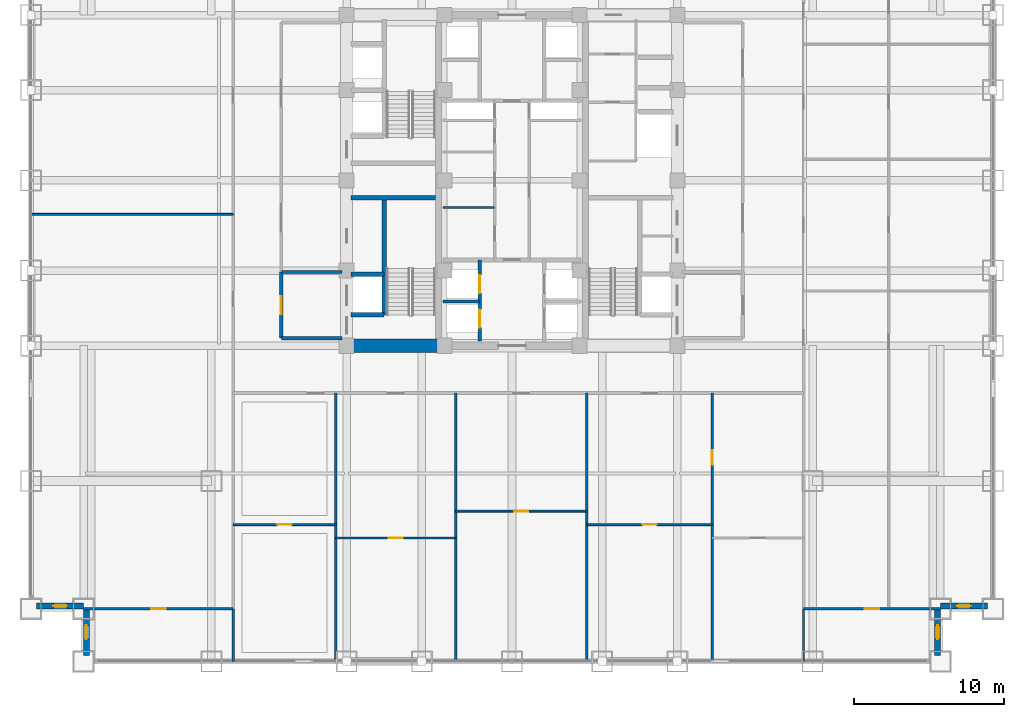
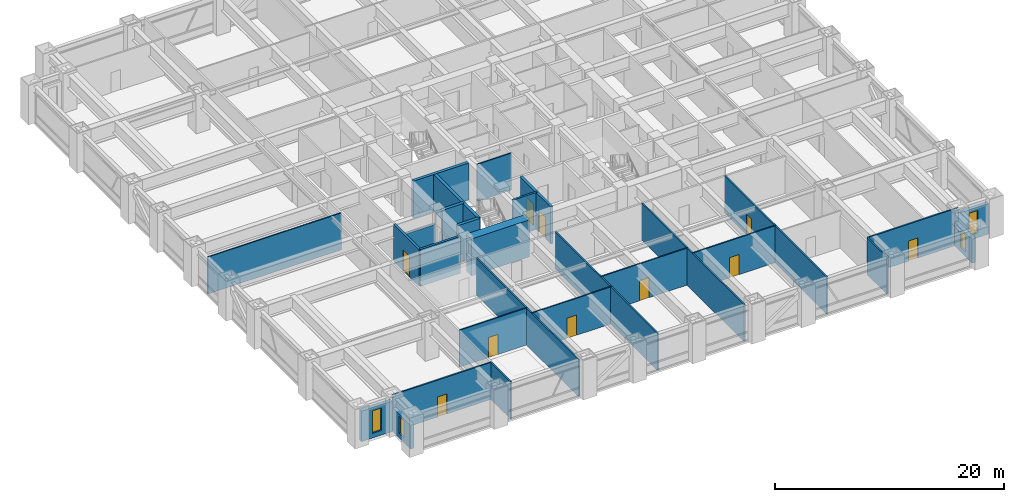
# One storey, part 23 of 29: 28 walls, 10 doors, 4 windows, 14 openings.
"""IFC4 building model written with IfcOpenShell, lengths in metres."""

from ifc_helpers import new_model, si_unit, direction, frame, frame_2d, origin, place, context, subcontext, project, spatial, rectangle, extrude, source, transform, mapped, material, layer, layer_set, type_object, element, fill, save


model = new_model("IFC4")

# Units and contexts
model_context = context("Model", 3, precision=1e-05, world=origin(), true_north=direction((0.0, 1.0)))
body_context = subcontext(model_context, "Body", "Model", "MODEL_VIEW")
ifc_project = project(units=[si_unit("LENGTHUNIT", "METRE"), si_unit("AREAUNIT", "SQUARE_METRE"), si_unit("VOLUMEUNIT", "CUBIC_METRE"), si_unit("PLANEANGLEUNIT", "RADIAN"), si_unit("MASSUNIT", "GRAM", prefix="KILO")], contexts=[model_context])

# Site, building, storey
site_placement = place(None, origin())
site = spatial("IfcSite", under=ifc_project, at=site_placement, CompositionType="ELEMENT")
building_placement = place(site_placement, origin())
building = spatial("IfcBuilding", under=site, at=building_placement, Name="Khorayat Bourse Tower", CompositionType="ELEMENT")
storey_placement = place(building_placement, frame((0.0, 0.0, 87.199951171875)))
storey = spatial("IfcBuildingStorey", under=building, at=storey_placement, Name="L19", CompositionType="ELEMENT", Elevation=87.199951171875)

# Walls
ifc_material_1 = material(Name="Concrete C72/90", Category="concrete")
ifc_layer_1 = layer(ifc_material_1, 0.89990234375)
ifc_layer_set_1 = layer_set([ifc_layer_1], Name="Concrete C72/90")
wall_type_1 = type_object("IfcWallType", Name="WAL-CORE-900", PredefinedType="SHEAR", material=ifc_layer_set_1)
shared_shape_1 = source(origin(), body_context, "Body", "SweptSolid", [
    extrude(rectangle(XDim=5.849853515625, YDim=0.89990234375, at=frame_2d((2.9248046875, 0.0))), origin(), (0.0, 0.0, 1.0), 3.93994140625),
])
wall_1_placement = place(storey_placement, frame((-10.699951171875, -11.0, 0.0), z_axis=(0.0, 0.0, 1.0), x_axis=(1.0, 0.0, 0.0)))
element("IfcWall", 1, at=wall_1_placement, inside=storey, type_object=wall_type_1, Name="L19 Core Shear Wall PIER-WS", PredefinedType="SHEAR", context=body_context, shape_type="MappedRepresentation", body=[
    mapped(shared_shape_1, transform((0.0, 0.0, 0.0), scale=1.0)),
])
ifc_material_2 = material(Name="Concrete C50/60", Category="concrete")
ifc_layer_2 = layer(ifc_material_2, 0.300048828125)
ifc_layer_set_2 = layer_set([ifc_layer_2], Name="Concrete C50/60")
wall_type_2 = type_object("IfcWallType", Name="WAL-SHAFT-300", PredefinedType="SHEAR", material=ifc_layer_set_2)
shared_shape_2 = source(origin(), body_context, "Body", "SweptSolid", [
    extrude(rectangle(XDim=5.599853515625, YDim=0.300048828125, at=frame_2d((2.7998046875, 0.0))), origin(), (0.0, 0.0, 1.0), 3.93994140625),
])
wall_2_placement = place(storey_placement, frame((-10.699951171875, -1.14990234375, 0.0), z_axis=(0.0, 0.0, 1.0), x_axis=(1.0, 0.0, 0.0)))
element("IfcWall", 2, at=wall_2_placement, inside=storey, type_object=wall_type_2, Name="L19 Core Shear Wall ST1-DIV", PredefinedType="SHEAR", context=body_context, shape_type="MappedRepresentation", body=[
    mapped(shared_shape_2, transform((0.0, 0.0, 0.0), scale=1.0)),
])

# Wall, opening, window
ifc_material_3 = material(Name="Precast concrete C45/55", Category="concrete")
ifc_layer_3 = layer(ifc_material_3, 0.3798828125)
ifc_layer_set_3 = layer_set([ifc_layer_3], Name="Precast concrete C45/55")
wall_type_3 = type_object("IfcWallType", Name="WAL-EXT-STONE-380", PredefinedType="STANDARD", material=ifc_layer_set_3)
shared_shape_3 = source(origin(), body_context, "Body", "SweptSolid", [
    extrude(rectangle(XDim=3.1201171875, YDim=0.3798828125, at=frame_2d((1.56005859375, 0.0))), origin(), (0.0, 0.0, 1.0), 3.2451171875),
])
wall_3_placement = place(storey_placement, frame((-28.5, -28.31005859375, 0.0), z_axis=(0.0, 0.0, 1.0), x_axis=(-1.0, 0.0, 0.0)))
wall_3 = element("IfcWall", 3, at=wall_3_placement, inside=storey, type_object=wall_type_3, Name="L19 Re-Entrant Notch Limestone Wall SW-H", PredefinedType="STANDARD", context=body_context, shape_type="MappedRepresentation", body=[
    mapped(shared_shape_3, transform((0.0, 0.0, 0.0), scale=1.0)),
])
shared_shape_4 = source(origin(), body_context, "Body", "SweptSolid", [
    extrude(rectangle(XDim=0.89990234375, YDim=2.39990234375, at=frame_2d((0.449951171875, 1.199951171875))), frame((0.0, 0.199951171875, 0.0), z_axis=(0.0, -1.0, 0.0), x_axis=(1.0, 0.0, 0.0)), (0.0, 0.0, 1.0), 0.39990234375),
])
opening_1_placement = place(wall_3_placement, frame((1.110107421875, 0.0, 0.5)))
opening_1 = element("IfcOpeningElement", 4, at=opening_1_placement, cuts=wall_3, Name="Opening WN-03", PredefinedType="OPENING", context=body_context, shape_type="MappedRepresentation", body=[
    mapped(shared_shape_4, transform((0.0, 0.0, 0.0), scale=1.0)),
])
ifc_material_4 = material(Name="Deep-reveal solar-control double glazing", Category="glass")
window_type = type_object("IfcWindowType", Name="WIN-SLOT-900x2400", PartitioningType="SINGLE_PANEL", PredefinedType="WINDOW", material=ifc_material_4)
shared_shape_5 = source(origin(), body_context, "Body", "SweptSolid", [
    extrude(rectangle(XDim=0.89990234375, YDim=2.39990234375, at=frame_2d((0.449951171875, 1.199951171875))), frame((0.0, 0.030029296875, 0.0), z_axis=(0.0, -1.0, 0.0), x_axis=(1.0, 0.0, 0.0)), (0.0, 0.0, 1.0), 0.06005859375),
])
window_1_placement = place(opening_1_placement, origin())
window_1 = element("IfcWindow", 5, at=window_1_placement, inside=storey, type_object=window_type, Name="L19 Facade Window 1", OverallHeight=2.39990234375, OverallWidth=0.89990234375, PartitioningType="SINGLE_PANEL", PredefinedType="WINDOW", context=body_context, shape_type="MappedRepresentation", body=[
    mapped(shared_shape_5, transform((0.0, 0.0, 0.0), scale=1.0)),
])
fill(opening_1, window_1)

wall_4_placement = place(storey_placement, frame((28.5, -28.31005859375, 0.0), z_axis=(0.0, 0.0, 1.0), x_axis=(1.0, 0.0, 0.0)))
wall_4 = element("IfcWall", 6, at=wall_4_placement, inside=storey, type_object=wall_type_3, Name="L19 Re-Entrant Notch Limestone Wall SE-H", PredefinedType="STANDARD", context=body_context, shape_type="MappedRepresentation", body=[
    mapped(shared_shape_3, transform((0.0, 0.0, 0.0), scale=1.0)),
])
opening_2_placement = place(wall_4_placement, frame((1.110107421875, 0.0, 0.5)))
opening_2 = element("IfcOpeningElement", 7, at=opening_2_placement, cuts=wall_4, Name="Opening WN-03", PredefinedType="OPENING", context=body_context, shape_type="MappedRepresentation", body=[
    mapped(shared_shape_4, transform((0.0, 0.0, 0.0), scale=1.0)),
])
window_2_placement = place(opening_2_placement, origin())
window_2 = element("IfcWindow", 8, at=window_2_placement, inside=storey, type_object=window_type, Name="L19 Facade Window 1", OverallHeight=2.39990234375, OverallWidth=0.89990234375, PartitioningType="SINGLE_PANEL", PredefinedType="WINDOW", context=body_context, shape_type="MappedRepresentation", body=[
    mapped(shared_shape_5, transform((0.0, 0.0, 0.0), scale=1.0)),
])
fill(opening_2, window_2)

shared_shape_6 = source(origin(), body_context, "Body", "SweptSolid", [
    extrude(rectangle(XDim=3.1201171875, YDim=0.3798828125, at=frame_2d((1.56005859375, 0.0))), origin(), (0.0, 0.0, 1.0), 2.5400390625),
])
wall_5_placement = place(storey_placement, frame((-28.31005859375, -31.6201171875, 0.0), z_axis=(0.0, 0.0, 1.0), x_axis=(0.0, 1.0, 0.0)))
wall_5 = element("IfcWall", 9, at=wall_5_placement, inside=storey, type_object=wall_type_3, Name="L19 Re-Entrant Notch Limestone Wall SW-V", PredefinedType="STANDARD", context=body_context, shape_type="MappedRepresentation", body=[
    mapped(shared_shape_6, transform((0.0, 0.0, 0.0), scale=1.0)),
])
shared_shape_7 = source(origin(), body_context, "Body", "SweptSolid", [
    extrude(rectangle(XDim=0.89990234375, YDim=1.820068359375, at=frame_2d((0.449951171875, 0.91015625))), frame((0.0, 0.199951171875, 0.0), z_axis=(0.0, -1.0, 0.0), x_axis=(1.0, 0.0, 0.0)), (0.0, 0.0, 1.0), 0.39990234375),
])
opening_3_placement = place(wall_5_placement, frame((1.110107421875, 0.0, 0.5)))
opening_3 = element("IfcOpeningElement", 10, at=opening_3_placement, cuts=wall_5, Name="Opening WN-03", PredefinedType="OPENING", context=body_context, shape_type="MappedRepresentation", body=[
    mapped(shared_shape_7, transform((0.0, 0.0, 0.0), scale=1.0)),
])
shared_shape_8 = source(origin(), body_context, "Body", "SweptSolid", [
    extrude(rectangle(XDim=0.89990234375, YDim=1.820068359375, at=frame_2d((0.449951171875, 0.91015625))), frame((0.0, 0.030029296875, 0.0), z_axis=(0.0, -1.0, 0.0), x_axis=(1.0, 0.0, 0.0)), (0.0, 0.0, 1.0), 0.06005859375),
])
window_3_placement = place(opening_3_placement, origin())
window_3 = element("IfcWindow", 11, at=window_3_placement, inside=storey, type_object=window_type, Name="L19 Facade Window 1", OverallHeight=1.820068359375, OverallWidth=0.89990234375, PartitioningType="SINGLE_PANEL", PredefinedType="WINDOW", context=body_context, shape_type="MappedRepresentation", body=[
    mapped(shared_shape_8, transform((0.0, 0.0, 0.0), scale=1.0)),
])
fill(opening_3, window_3)

wall_6_placement = place(storey_placement, frame((28.31005859375, -31.6201171875, 0.0), z_axis=(0.0, 0.0, 1.0), x_axis=(0.0, 1.0, 0.0)))
wall_6 = element("IfcWall", 12, at=wall_6_placement, inside=storey, type_object=wall_type_3, Name="L19 Re-Entrant Notch Limestone Wall SE-V", PredefinedType="STANDARD", context=body_context, shape_type="MappedRepresentation", body=[
    mapped(shared_shape_6, transform((0.0, 0.0, 0.0), scale=1.0)),
])
opening_4_placement = place(wall_6_placement, frame((1.110107421875, 0.0, 0.5)))
opening_4 = element("IfcOpeningElement", 13, at=opening_4_placement, cuts=wall_6, Name="Opening WN-03", PredefinedType="OPENING", context=body_context, shape_type="MappedRepresentation", body=[
    mapped(shared_shape_7, transform((0.0, 0.0, 0.0), scale=1.0)),
])
window_4_placement = place(opening_4_placement, origin())
window_4 = element("IfcWindow", 14, at=window_4_placement, inside=storey, type_object=window_type, Name="L19 Facade Window 1", OverallHeight=1.820068359375, OverallWidth=0.89990234375, PartitioningType="SINGLE_PANEL", PredefinedType="WINDOW", context=body_context, shape_type="MappedRepresentation", body=[
    mapped(shared_shape_8, transform((0.0, 0.0, 0.0), scale=1.0)),
])
fill(opening_4, window_4)

# Walls
shared_shape_9 = source(origin(), body_context, "Body", "SweptSolid", [
    extrude(rectangle(XDim=7.800048828125, YDim=0.300048828125, at=frame_2d((3.89990234375, 0.0))), origin(), (0.0, 0.0, 1.0), 3.93994140625),
])
wall_7_placement = place(storey_placement, frame((-8.5, -8.949951171875, 0.0), z_axis=(0.0, 0.0, 1.0), x_axis=(0.0, 1.0, 0.0)))
element("IfcWall", 15, at=wall_7_placement, inside=storey, type_object=wall_type_2, Name="L19 Partition WAL-L19-WPIER-SP", PredefinedType="SHEAR", context=body_context, shape_type="MappedRepresentation", body=[
    mapped(shared_shape_9, transform((0.0, 0.0, 0.0), scale=1.0)),
])
shared_shape_10 = source(origin(), body_context, "Body", "SweptSolid", [
    extrude(rectangle(XDim=2.199951171875, YDim=0.300048828125, at=frame_2d((1.10009765625, 0.0))), origin(), (0.0, 0.0, 1.0), 3.93994140625),
])
for number, where, z_axis, x_axis, name in (
    (16, (-10.699951171875, -8.949951171875, 0.0), (0.0, 0.0, 1.0), (1.0, 0.0, 0.0), "L19 Partition WAL-L19-WPIER-FF1S"),
    (17, (-10.699951171875, -6.25, 0.0), (0.0, 0.0, 1.0), (1.0, 0.0, 0.0), "L19 Partition WAL-L19-WPIER-FF1N"),
):
    element("IfcWall", number, at=place(storey_placement, frame(where, z_axis=z_axis, x_axis=x_axis)), inside=storey, type_object=wall_type_2, Name=name, PredefinedType="SHEAR", context=body_context, shape_type="MappedRepresentation", body=[
        mapped(shared_shape_10, transform((0.0, 0.0, 0.0), scale=1.0)),
    ])
ifc_material_5 = material(Name="Aerated concrete blockwork", Category="masonry")
ifc_layer_4 = layer(ifc_material_5, 0.219970703125)
ifc_layer_set_4 = layer_set([ifc_layer_4], Name="Aerated concrete blockwork")
wall_type_4 = type_object("IfcWallType", Name="WAL-PART-FF-220", PredefinedType="PARTITIONING", material=ifc_layer_set_4)
shared_shape_11 = source(origin(), body_context, "Body", "SweptSolid", [
    extrude(rectangle(XDim=4.050048828125, YDim=0.219970703125, at=frame_2d((2.02490234375, 0.0))), origin(), (0.0, 0.0, 1.0), 3.93994140625),
])
wall_8_placement = place(storey_placement, frame((-15.35009765625, -10.5, 0.0), z_axis=(0.0, 0.0, 1.0), x_axis=(1.0, 0.0, 0.0)))
element("IfcWall", 18, at=wall_8_placement, inside=storey, type_object=wall_type_4, Name="L19 Partition WAL-L19-FFLW-S", PredefinedType="PARTITIONING", context=body_context, shape_type="MappedRepresentation", body=[
    mapped(shared_shape_11, transform((0.0, 0.0, 0.0), scale=1.0)),
])

# Wall, opening, door
shared_shape_12 = source(origin(), body_context, "Body", "SweptSolid", [
    extrude(rectangle(XDim=4.39990234375, YDim=0.219970703125, at=frame_2d((2.199951171875, 0.0))), origin(), (0.0, 0.0, 1.0), 3.93994140625),
])
wall_9_placement = place(storey_placement, frame((-15.35009765625, -10.5, 0.0), z_axis=(0.0, 0.0, 1.0), x_axis=(0.0, 1.0, 0.0)))
wall_9 = element("IfcWall", 19, at=wall_9_placement, inside=storey, type_object=wall_type_4, Name="L19 Partition WAL-L19-FFLW-W", PredefinedType="PARTITIONING", context=body_context, shape_type="MappedRepresentation", body=[
    mapped(shared_shape_12, transform((0.0, 0.0, 0.0), scale=1.0)),
])
shared_shape_13 = source(origin(), body_context, "Body", "SweptSolid", [
    extrude(rectangle(XDim=1.199951171875, YDim=2.199951171875, at=frame_2d((0.60009765625, 1.10009765625))), frame((0.0, 0.119873046875, 0.0), z_axis=(0.0, -1.0, 0.0), x_axis=(1.0, 0.0, 0.0)), (0.0, 0.0, 1.0), 0.239990234375),
])
opening_5_placement = place(wall_9_placement, frame((1.60009765625, 0.0, 0.0)))
opening_5 = element("IfcOpeningElement", 20, at=opening_5_placement, cuts=wall_9, Name="Opening DI-02", PredefinedType="OPENING", context=body_context, shape_type="MappedRepresentation", body=[
    mapped(shared_shape_13, transform((0.0, 0.0, 0.0), scale=1.0)),
])
ifc_material_6 = material(Name="Fire-rated steel double-seal leaf", Category="steel")
door_type_1 = type_object("IfcDoorType", Name="DR-INT-FFLOBBY-1200", OperationType="NOTDEFINED", PredefinedType="DOOR", material=ifc_material_6)
shared_shape_14 = source(origin(), body_context, "Body", "SweptSolid", [
    extrude(rectangle(XDim=1.199951171875, YDim=2.199951171875, at=frame_2d((0.60009765625, 1.10009765625))), frame((0.0, 0.02490234375, 0.0), z_axis=(0.0, -1.0, 0.0), x_axis=(1.0, 0.0, 0.0)), (0.0, 0.0, 1.0), 0.050048828125),
])
door_1_placement = place(opening_5_placement, origin())
door_1 = element("IfcDoor", 21, at=door_1_placement, inside=storey, type_object=door_type_1, Name="L19 West Firefighting Lobby Door", OperationType="SINGLE_SWING_LEFT", OverallHeight=2.199951171875, OverallWidth=1.199951171875, PredefinedType="DOOR", context=body_context, shape_type="MappedRepresentation", body=[
    mapped(shared_shape_14, transform((0.0, 0.0, 0.0), scale=1.0)),
])
fill(opening_5, door_1)

# Wall, openings, doors
shared_shape_15 = source(origin(), body_context, "Body", "SweptSolid", [
    extrude(rectangle(XDim=5.39990234375, YDim=0.25, at=frame_2d((2.699951171875, 0.0))), origin(), (0.0, 0.0, 1.0), 3.93994140625),
])
wall_10_placement = place(storey_placement, frame((-2.14990234375, -10.699951171875, 0.0), z_axis=(0.0, 0.0, 1.0), x_axis=(0.0, 1.0, 0.0)))
wall_10 = element("IfcWall", 22, at=wall_10_placement, inside=storey, type_object=wall_type_2, Name="L19 Partition WAL-L19-B1-W", PredefinedType="SHEAR", context=body_context, shape_type="MappedRepresentation", body=[
    mapped(shared_shape_15, transform((0.0, 0.0, 0.0), scale=1.0)),
])
shared_shape_16 = source(origin(), body_context, "Body", "SweptSolid", [
    extrude(rectangle(XDim=1.199951171875, YDim=2.300048828125, at=frame_2d((0.60009765625, 1.14990234375))), frame((0.0, 0.135009765625, 0.0), z_axis=(0.0, -1.0, 0.0), x_axis=(1.0, 0.0, 0.0)), (0.0, 0.0, 1.0), 0.27001953125),
])
opening_6_placement = place(wall_10_placement, frame((0.89990234375, 0.0, 0.0)))
opening_6 = element("IfcOpeningElement", 23, at=opening_6_placement, cuts=wall_10, Name="Opening LD-01", PredefinedType="OPENING", context=body_context, shape_type="MappedRepresentation", body=[
    mapped(shared_shape_16, transform((0.0, 0.0, 0.0), scale=1.0)),
])
opening_7_placement = place(wall_10_placement, frame((3.199951171875, 0.0, 0.0)))
opening_7 = element("IfcOpeningElement", 24, at=opening_7_placement, cuts=wall_10, Name="Opening LD-01", PredefinedType="OPENING", context=body_context, shape_type="MappedRepresentation", body=[
    mapped(shared_shape_16, transform((0.0, 0.0, 0.0), scale=1.0)),
])
ifc_material_7 = material(Name="Brushed bronze stainless-steel sliding door", Category="steel")
door_type_2 = type_object("IfcDoorType", Name="DR-LIFT-PASS-1200", OperationType="NOTDEFINED", PredefinedType="DOOR", material=ifc_material_7)
shared_shape_17 = source(origin(), body_context, "Body", "SweptSolid", [
    extrude(rectangle(XDim=1.199951171875, YDim=2.300048828125, at=frame_2d((0.60009765625, 1.14990234375))), frame((0.0, 0.02490234375, 0.0), z_axis=(0.0, -1.0, 0.0), x_axis=(1.0, 0.0, 0.0)), (0.0, 0.0, 1.0), 0.050048828125),
])
door_2_placement = place(opening_6_placement, origin())
door_2 = element("IfcDoor", 25, at=door_2_placement, inside=storey, type_object=door_type_2, Name="L19 Lift PL-L1 Sliding Landing Door", OperationType="SLIDING_TO_LEFT", OverallHeight=2.300048828125, OverallWidth=1.199951171875, PredefinedType="DOOR", context=body_context, shape_type="MappedRepresentation", body=[
    mapped(shared_shape_17, transform((0.0, 0.0, 0.0), scale=1.0)),
])
fill(opening_6, door_2)
door_3_placement = place(opening_7_placement, origin())
door_3 = element("IfcDoor", 26, at=door_3_placement, inside=storey, type_object=door_type_2, Name="L19 Lift PL-L3 Sliding Landing Door", OperationType="SLIDING_TO_LEFT", OverallHeight=2.300048828125, OverallWidth=1.199951171875, PredefinedType="DOOR", context=body_context, shape_type="MappedRepresentation", body=[
    mapped(shared_shape_17, transform((0.0, 0.0, 0.0), scale=1.0)),
])
fill(opening_7, door_3)

# Walls
shared_shape_18 = source(origin(), body_context, "Body", "SweptSolid", [
    extrude(rectangle(XDim=2.4501953125, YDim=0.199951171875, at=frame_2d((1.22509765625, 0.0))), origin(), (0.0, 0.0, 1.0), 3.93994140625),
])
wall_11_placement = place(storey_placement, frame((-4.60009765625, -8.050048828125, 0.0), z_axis=(0.0, 0.0, 1.0), x_axis=(1.0, 0.0, 0.0)))
element("IfcWall", 27, at=wall_11_placement, inside=storey, type_object=wall_type_2, Name="L19 Partition WAL-L19-B1-MW", PredefinedType="SHEAR", context=body_context, shape_type="MappedRepresentation", body=[
    mapped(shared_shape_18, transform((0.0, 0.0, 0.0), scale=1.0)),
])
ifc_material_8 = material(Name="Moisture-resistant masonry partition", Category="masonry")
ifc_layer_5 = layer(ifc_material_8, 0.139892578125)
ifc_layer_set_5 = layer_set([ifc_layer_5], Name="Moisture-resistant masonry partition")
wall_type_5 = type_object("IfcWallType", Name="WAL-PART-WET-140", PredefinedType="PARTITIONING", material=ifc_layer_set_5)
shared_shape_19 = source(origin(), body_context, "Body", "SweptSolid", [
    extrude(rectangle(XDim=3.4501953125, YDim=0.139892578125, at=frame_2d((1.72509765625, 0.0))), origin(), (0.0, 0.0, 1.0), 3.93994140625),
])
wall_12_placement = place(storey_placement, frame((-4.60009765625, -1.800048828125, 0.0), z_axis=(0.0, 0.0, 1.0), x_axis=(1.0, 0.0, 0.0)))
element("IfcWall", 28, at=wall_12_placement, inside=storey, type_object=wall_type_5, Name="L19 Partition WAL-L19-CMW-D1", PredefinedType="PARTITIONING", context=body_context, shape_type="MappedRepresentation", body=[
    mapped(shared_shape_19, transform((0.0, 0.0, 0.0), scale=1.0)),
])
ifc_material_9 = material(Name="Gypsum plasterboard twin-frame partition")
ifc_layer_6 = layer(ifc_material_9, 0.14990234375)
ifc_layer_set_6 = layer_set([ifc_layer_6], Name="Gypsum plasterboard twin-frame partition")
wall_type_6 = type_object("IfcWallType", Name="WAL-PART-SUITE-150", PredefinedType="PARTITIONING", material=ifc_layer_set_6)
shared_shape_20 = source(origin(), body_context, "Body", "SweptSolid", [
    extrude(rectangle(XDim=3.5, YDim=0.14990234375, at=frame_2d((1.75, 0.0))), origin(), (0.0, 0.0, 1.0), 3.93994140625),
])
for number, where, z_axis, x_axis, name in (
    (29, (-18.550048828125, -32.0, 0.0), (0.0, 0.0, 1.0), (0.0, 1.0, 0.0), "L19 Partition WAL-L19-SCW-END"),
    (30, (19.39990234375, -32.0, 0.0), (0.0, 0.0, 1.0), (0.0, 1.0, 0.0), "L19 Partition WAL-L19-SCE-END"),
):
    element("IfcWall", number, at=place(storey_placement, frame(where, z_axis=z_axis, x_axis=x_axis)), inside=storey, type_object=wall_type_6, Name=name, PredefinedType="PARTITIONING", context=body_context, shape_type="MappedRepresentation", body=[
        mapped(shared_shape_20, transform((0.0, 0.0, 0.0), scale=1.0)),
    ])
ifc_material_10 = material(Name="Gypsum plasterboard partition")
ifc_layer_7 = layer(ifc_material_10, 0.125)
ifc_layer_set_7 = layer_set([ifc_layer_7], Name="Gypsum plasterboard partition")
wall_type_7 = type_object("IfcWallType", Name="WAL-PART-ROOM-125", PredefinedType="PARTITIONING", material=ifc_layer_set_7)
shared_shape_21 = source(origin(), body_context, "Body", "SweptSolid", [
    extrude(rectangle(XDim=13.449951171875, YDim=0.125, at=frame_2d((6.72509765625, 0.0))), origin(), (0.0, 0.0, 1.0), 3.93994140625),
])
wall_13_placement = place(storey_placement, frame((-32.0, -2.263916015625, 0.0), z_axis=(0.0, 0.0, 1.0), x_axis=(1.0, 0.0, 0.0)))
element("IfcWall", 31, at=wall_13_placement, inside=storey, type_object=wall_type_7, Name="L19 Partition WAL-L19-WDV-1", PredefinedType="PARTITIONING", context=body_context, shape_type="MappedRepresentation", body=[
    mapped(shared_shape_21, transform((0.0, 0.0, 0.0), scale=1.0)),
])

# Wall, opening, door
shared_shape_22 = source(origin(), body_context, "Body", "SweptSolid", [
    extrude(rectangle(XDim=9.949951171875, YDim=0.14990234375, at=frame_2d((4.97509765625, 0.0))), origin(), (0.0, 0.0, 1.0), 3.93994140625),
])
wall_14_placement = place(storey_placement, frame((-28.5, -28.5, 0.0), z_axis=(0.0, 0.0, 1.0), x_axis=(1.0, 0.0, 0.0)))
wall_14 = element("IfcWall", 32, at=wall_14_placement, inside=storey, type_object=wall_type_6, Name="L19 Partition WAL-L19-CSW", PredefinedType="PARTITIONING", context=body_context, shape_type="MappedRepresentation", body=[
    mapped(shared_shape_22, transform((0.0, 0.0, 0.0), scale=1.0)),
])
shared_shape_23 = source(origin(), body_context, "Body", "SweptSolid", [
    extrude(rectangle(XDim=0.949951171875, YDim=2.14990234375, at=frame_2d((0.47509765625, 1.074951171875))), frame((0.0, 0.0849609375, 0.0), z_axis=(0.0, -1.0, 0.0), x_axis=(1.0, 0.0, 0.0)), (0.0, 0.0, 1.0), 0.169921875),
])
opening_8_placement = place(wall_14_placement, frame((4.5, 0.0, 0.0)))
opening_8 = element("IfcOpeningElement", 33, at=opening_8_placement, cuts=wall_14, Name="Opening DI-05", PredefinedType="OPENING", context=body_context, shape_type="MappedRepresentation", body=[
    mapped(shared_shape_23, transform((0.0, 0.0, 0.0), scale=1.0)),
])
ifc_material_11 = material(Name="Acoustic oak veneer office door")
door_type_3 = type_object("IfcDoorType", Name="DR-INT-OFFICE-950", OperationType="NOTDEFINED", PredefinedType="DOOR", material=ifc_material_11)
shared_shape_24 = source(origin(), body_context, "Body", "SweptSolid", [
    extrude(rectangle(XDim=0.949951171875, YDim=2.14990234375, at=frame_2d((0.47509765625, 1.074951171875))), frame((0.0, 0.02490234375, 0.0), z_axis=(0.0, -1.0, 0.0), x_axis=(1.0, 0.0, 0.0)), (0.0, 0.0, 1.0), 0.050048828125),
])
door_4_placement = place(opening_8_placement, origin())
door_4 = element("IfcDoor", 34, at=door_4_placement, inside=storey, type_object=door_type_3, Name="L19 South-West Corner Office Door", OperationType="SINGLE_SWING_LEFT", OverallHeight=2.14990234375, OverallWidth=0.949951171875, PredefinedType="DOOR", context=body_context, shape_type="MappedRepresentation", body=[
    mapped(shared_shape_24, transform((0.0, 0.0, 0.0), scale=1.0)),
])
fill(opening_8, door_4)

# Walls
shared_shape_25 = source(origin(), body_context, "Body", "SweptSolid", [
    extrude(rectangle(XDim=17.85009765625, YDim=0.14990234375, at=frame_2d((8.925048828125, 0.0))), origin(), (0.0, 0.0, 1.0), 3.93994140625),
])
for number, where, z_axis, x_axis, name in (
    (35, (-11.718994140625, -32.0, 0.0), (0.0, 0.0, 1.0), (0.0, 1.0, 0.0), "L19 Partition WAL-L19-SDV-1"),
    (36, (-3.74951171875, -32.0, 0.0), (0.0, 0.0, 1.0), (0.0, 1.0, 0.0), "L19 Partition WAL-L19-SDV-2"),
    (37, (4.97900390625, -32.0, 0.0), (0.0, 0.0, 1.0), (0.0, 1.0, 0.0), "L19 Partition WAL-L19-SDV-3"),
):
    element("IfcWall", number, at=place(storey_placement, frame(where, z_axis=z_axis, x_axis=x_axis)), inside=storey, type_object=wall_type_6, Name=name, PredefinedType="PARTITIONING", context=body_context, shape_type="MappedRepresentation", body=[
        mapped(shared_shape_25, transform((0.0, 0.0, 0.0), scale=1.0)),
    ])

# Wall, opening, door
wall_15_placement = place(storey_placement, frame((13.327880859375, -32.0, 0.0), z_axis=(0.0, 0.0, 1.0), x_axis=(0.0, 1.0, 0.0)))
wall_15 = element("IfcWall", 38, at=wall_15_placement, inside=storey, type_object=wall_type_6, Name="L19 Partition WAL-L19-SDV-4", PredefinedType="PARTITIONING", context=body_context, shape_type="MappedRepresentation", body=[
    mapped(shared_shape_25, transform((0.0, 0.0, 0.0), scale=1.0)),
])
opening_9_placement = place(wall_15_placement, frame((13.091064453125, 0.0, 0.0)))
opening_9 = element("IfcOpeningElement", 39, at=opening_9_placement, cuts=wall_15, Name="Opening DI-05", PredefinedType="OPENING", context=body_context, shape_type="MappedRepresentation", body=[
    mapped(shared_shape_23, transform((0.0, 0.0, 0.0), scale=1.0)),
])
door_5_placement = place(opening_9_placement, origin())
door_5 = element("IfcDoor", 40, at=door_5_placement, inside=storey, type_object=door_type_3, Name="L19 S Suite Link 4", OperationType="SINGLE_SWING_LEFT", OverallHeight=2.14990234375, OverallWidth=0.949951171875, PredefinedType="DOOR", context=body_context, shape_type="MappedRepresentation", body=[
    mapped(shared_shape_24, transform((0.0, 0.0, 0.0), scale=1.0)),
])
fill(opening_9, door_5)

shared_shape_26 = source(origin(), body_context, "Body", "SweptSolid", [
    extrude(rectangle(XDim=9.10009765625, YDim=0.14990234375, at=frame_2d((4.550048828125, 0.0))), origin(), (0.0, 0.0, 1.0), 3.93994140625),
])
wall_16_placement = place(storey_placement, frame((19.39990234375, -28.5, 0.0), z_axis=(0.0, 0.0, 1.0), x_axis=(1.0, 0.0, 0.0)))
wall_16 = element("IfcWall", 41, at=wall_16_placement, inside=storey, type_object=wall_type_6, Name="L19 Partition WAL-L19-CSE", PredefinedType="PARTITIONING", context=body_context, shape_type="MappedRepresentation", body=[
    mapped(shared_shape_26, transform((0.0, 0.0, 0.0), scale=1.0)),
])
opening_10_placement = place(wall_16_placement, frame((4.074951171875, 0.0, 0.0)))
opening_10 = element("IfcOpeningElement", 42, at=opening_10_placement, cuts=wall_16, Name="Opening DI-05", PredefinedType="OPENING", context=body_context, shape_type="MappedRepresentation", body=[
    mapped(shared_shape_23, transform((0.0, 0.0, 0.0), scale=1.0)),
])
door_6_placement = place(opening_10_placement, origin())
door_6 = element("IfcDoor", 43, at=door_6_placement, inside=storey, type_object=door_type_3, Name="L19 South-East Corner Briefing Room Door", OperationType="SINGLE_SWING_LEFT", OverallHeight=2.14990234375, OverallWidth=0.949951171875, PredefinedType="DOOR", context=body_context, shape_type="MappedRepresentation", body=[
    mapped(shared_shape_24, transform((0.0, 0.0, 0.0), scale=1.0)),
])
fill(opening_10, door_6)

shared_shape_27 = source(origin(), body_context, "Body", "SweptSolid", [
    extrude(rectangle(XDim=6.8310546875, YDim=0.125, at=frame_2d((3.41552734375, 0.0))), origin(), (0.0, 0.0, 1.0), 3.93994140625),
])
wall_17_placement = place(storey_placement, frame((-18.550048828125, -22.896484375, 0.0), z_axis=(0.0, 0.0, 1.0), x_axis=(1.0, 0.0, 0.0)))
wall_17 = element("IfcWall", 44, at=wall_17_placement, inside=storey, type_object=wall_type_7, Name="L19 Partition WAL-L19-SDP-1", PredefinedType="PARTITIONING", context=body_context, shape_type="MappedRepresentation", body=[
    mapped(shared_shape_27, transform((0.0, 0.0, 0.0), scale=1.0)),
])
shared_shape_28 = source(origin(), body_context, "Body", "SweptSolid", [
    extrude(rectangle(XDim=0.949951171875, YDim=2.14990234375, at=frame_2d((0.47509765625, 1.074951171875))), frame((0.0, 0.072509765625, 0.0), z_axis=(0.0, -1.0, 0.0), x_axis=(1.0, 0.0, 0.0)), (0.0, 0.0, 1.0), 0.14501953125),
])
opening_11_placement = place(wall_17_placement, frame((2.9404296875, 0.0, 0.0)))
opening_11 = element("IfcOpeningElement", 45, at=opening_11_placement, cuts=wall_17, Name="Opening DI-05", PredefinedType="OPENING", context=body_context, shape_type="MappedRepresentation", body=[
    mapped(shared_shape_28, transform((0.0, 0.0, 0.0), scale=1.0)),
])
door_7_placement = place(opening_11_placement, origin())
door_7 = element("IfcDoor", 46, at=door_7_placement, inside=storey, type_object=door_type_3, Name="L19 Members Dining Room S1B Door", OperationType="SINGLE_SWING_RIGHT", OverallHeight=2.14990234375, OverallWidth=0.949951171875, PredefinedType="DOOR", context=body_context, shape_type="MappedRepresentation", body=[
    mapped(shared_shape_24, transform((0.0, 0.0, 0.0), scale=1.0)),
])
fill(opening_11, door_7)

shared_shape_29 = source(origin(), body_context, "Body", "SweptSolid", [
    extrude(rectangle(XDim=7.969482421875, YDim=0.125, at=frame_2d((3.98486328125, 0.0))), origin(), (0.0, 0.0, 1.0), 3.93994140625),
])
wall_18_placement = place(storey_placement, frame((-11.718994140625, -23.7890625, 0.0), z_axis=(0.0, 0.0, 1.0), x_axis=(1.0, 0.0, 0.0)))
wall_18 = element("IfcWall", 47, at=wall_18_placement, inside=storey, type_object=wall_type_7, Name="L19 Partition WAL-L19-SDP-2", PredefinedType="PARTITIONING", context=body_context, shape_type="MappedRepresentation", body=[
    mapped(shared_shape_29, transform((0.0, 0.0, 0.0), scale=1.0)),
])
opening_12_placement = place(wall_18_placement, frame((3.509765625, 0.0, 0.0)))
opening_12 = element("IfcOpeningElement", 48, at=opening_12_placement, cuts=wall_18, Name="Opening DI-05", PredefinedType="OPENING", context=body_context, shape_type="MappedRepresentation", body=[
    mapped(shared_shape_28, transform((0.0, 0.0, 0.0), scale=1.0)),
])
door_8_placement = place(opening_12_placement, origin())
door_8 = element("IfcDoor", 49, at=door_8_placement, inside=storey, type_object=door_type_3, Name="L19 Executive Wellness Fitness Gym S2B Door", OperationType="SINGLE_SWING_LEFT", OverallHeight=2.14990234375, OverallWidth=0.949951171875, PredefinedType="DOOR", context=body_context, shape_type="MappedRepresentation", body=[
    mapped(shared_shape_24, transform((0.0, 0.0, 0.0), scale=1.0)),
])
fill(opening_12, door_8)

shared_shape_30 = source(origin(), body_context, "Body", "SweptSolid", [
    extrude(rectangle(XDim=8.728515625, YDim=0.125, at=frame_2d((4.3642578125, 0.0))), origin(), (0.0, 0.0, 1.0), 3.93994140625),
])
wall_19_placement = place(storey_placement, frame((-3.74951171875, -22.00390625, 0.0), z_axis=(0.0, 0.0, 1.0), x_axis=(1.0, 0.0, 0.0)))
wall_19 = element("IfcWall", 50, at=wall_19_placement, inside=storey, type_object=wall_type_7, Name="L19 Partition WAL-L19-SDP-3", PredefinedType="PARTITIONING", context=body_context, shape_type="MappedRepresentation", body=[
    mapped(shared_shape_30, transform((0.0, 0.0, 0.0), scale=1.0)),
])
opening_13_placement = place(wall_19_placement, frame((3.889404296875, 0.0, 0.0)))
opening_13 = element("IfcOpeningElement", 51, at=opening_13_placement, cuts=wall_19, Name="Opening DI-05", PredefinedType="OPENING", context=body_context, shape_type="MappedRepresentation", body=[
    mapped(shared_shape_28, transform((0.0, 0.0, 0.0), scale=1.0)),
])
door_9_placement = place(opening_13_placement, origin())
door_9 = element("IfcDoor", 52, at=door_9_placement, inside=storey, type_object=door_type_3, Name="L19 Brokerage Member Kiosk S3B Door", OperationType="SINGLE_SWING_RIGHT", OverallHeight=2.14990234375, OverallWidth=0.949951171875, PredefinedType="DOOR", context=body_context, shape_type="MappedRepresentation", body=[
    mapped(shared_shape_24, transform((0.0, 0.0, 0.0), scale=1.0)),
])
fill(opening_13, door_9)

shared_shape_31 = source(origin(), body_context, "Body", "SweptSolid", [
    extrude(rectangle(XDim=8.348876953125, YDim=0.125, at=frame_2d((4.17431640625, 0.0))), origin(), (0.0, 0.0, 1.0), 3.93994140625),
])
wall_20_placement = place(storey_placement, frame((4.97900390625, -22.896484375, 0.0), z_axis=(0.0, 0.0, 1.0), x_axis=(1.0, 0.0, 0.0)))
wall_20 = element("IfcWall", 53, at=wall_20_placement, inside=storey, type_object=wall_type_7, Name="L19 Partition WAL-L19-SDP-4", PredefinedType="PARTITIONING", context=body_context, shape_type="MappedRepresentation", body=[
    mapped(shared_shape_31, transform((0.0, 0.0, 0.0), scale=1.0)),
])
opening_14_placement = place(wall_20_placement, frame((3.699462890625, 0.0, 0.0)))
opening_14 = element("IfcOpeningElement", 54, at=opening_14_placement, cuts=wall_20, Name="Opening DI-05", PredefinedType="OPENING", context=body_context, shape_type="MappedRepresentation", body=[
    mapped(shared_shape_28, transform((0.0, 0.0, 0.0), scale=1.0)),
])
door_10_placement = place(opening_14_placement, origin())
door_10 = element("IfcDoor", 55, at=door_10_placement, inside=storey, type_object=door_type_3, Name="L19 Staff Tea Pantry S4B Door", OperationType="SINGLE_SWING_LEFT", OverallHeight=2.14990234375, OverallWidth=0.949951171875, PredefinedType="DOOR", context=body_context, shape_type="MappedRepresentation", body=[
    mapped(shared_shape_24, transform((0.0, 0.0, 0.0), scale=1.0)),
])
fill(opening_14, door_10)

# Wall
shared_shape_32 = source(origin(), body_context, "Body", "SweptSolid", [
    extrude(rectangle(XDim=4.050048828125, YDim=0.219970703125, at=frame_2d((2.02490234375, 0.0))), origin(), (0.0, 0.0, 1.0), 2.5400390625),
])
wall_21_placement = place(storey_placement, frame((-15.35009765625, -6.10009765625, 0.0), z_axis=(0.0, 0.0, 1.0), x_axis=(1.0, 0.0, 0.0)))
element("IfcWall", 56, at=wall_21_placement, inside=storey, type_object=wall_type_4, Name="L19 Partition WAL-L19-FFLW-N", PredefinedType="PARTITIONING", context=body_context, shape_type="MappedRepresentation", body=[
    mapped(shared_shape_32, transform((0.0, 0.0, 0.0), scale=1.0)),
])

save(model, "model.ifc")
